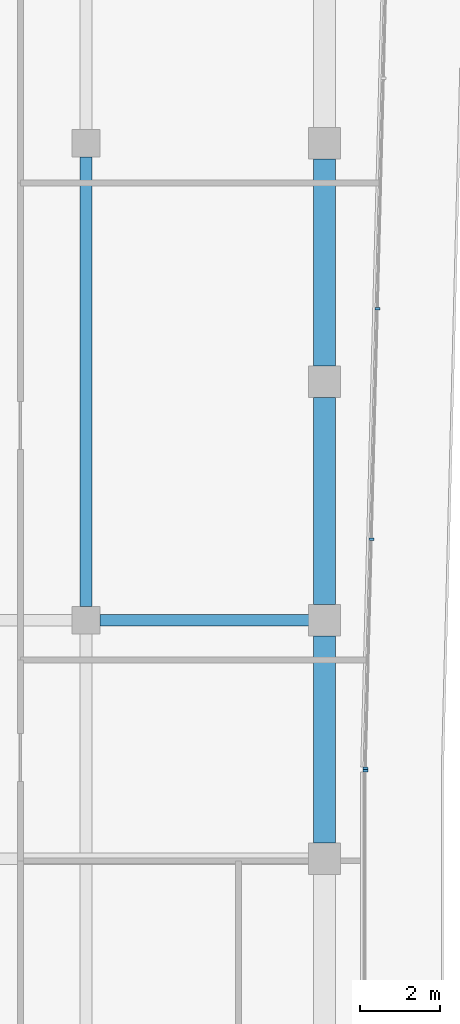
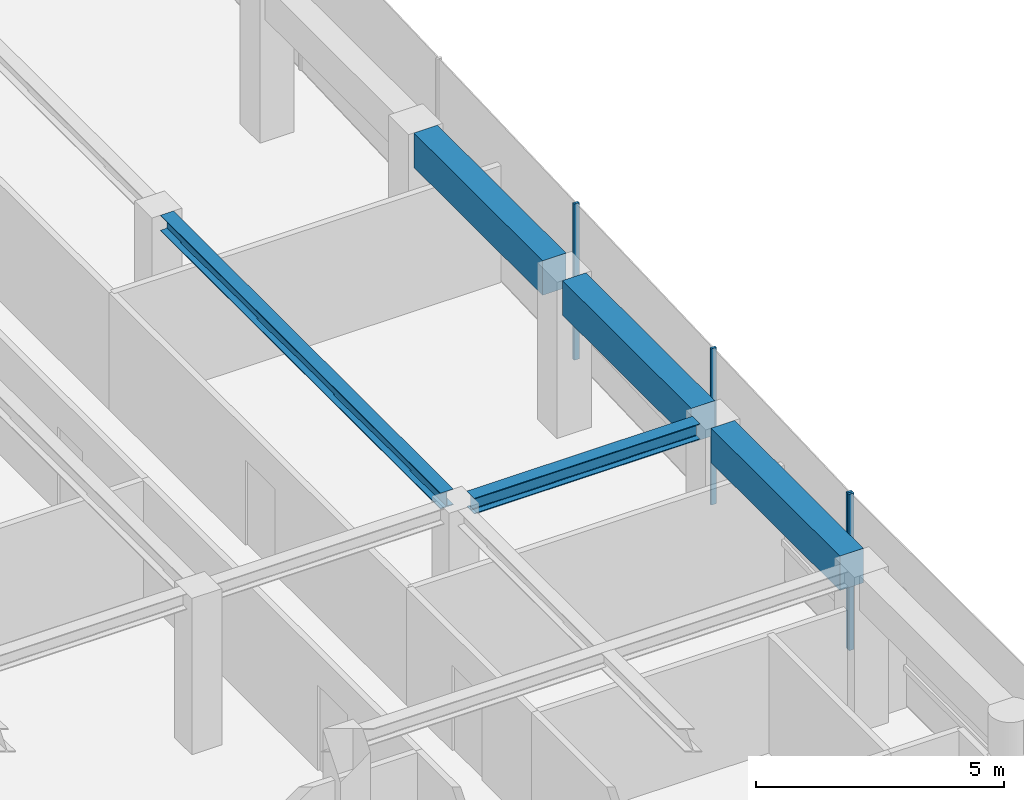
# One storey, part 8 of 19: 5 beams, 4 members, 2 elements without a shape of their own.
"""IFC4 building model written with IfcOpenShell, lengths in metres."""

import ifcopenshell
import ifcopenshell.guid

model = None  # the IFC model being written
_history = None  # IfcOwnerHistory: only IFC2X3 demands one
_inside = {}  # id of a spatial element -> (the spatial element, [elements in it])
_under = {}  # id of a project, library or spatial element -> (it, [spatial elements below it])
_declared = {}  # id of a project -> (the project, [libraries it declares])
_typed = {}  # id of a type object -> (the type object, [elements of that type])
_made_of = {}  # id of a material, layer set ... -> (it, [elements and type objects made of it])


def new_model(schema):
    """Start an empty IFC model of exactly this schema.

    Asked for "IFC4X3", IfcOpenShell would pick the latest addendum, in which some entities
    have other attributes; the version numbers below select the first issue.
    IFC2X3 requires an IfcOwnerHistory on every rooted entity: one is made here for all.
    """
    global model, _history
    if schema == "IFC4X3":
        model = ifcopenshell.file(schema_version=(4, 3, 0, 0))
    else:
        model = ifcopenshell.file(schema=schema)
    _inside.clear()
    _under.clear()
    _declared.clear()
    _typed.clear()
    _made_of.clear()
    _history = None
    if model.schema == "IFC2X3":
        org = make("IfcOrganization", Name="unknown")
        user = make(
            "IfcPersonAndOrganization",
            ThePerson=make("IfcPerson", FamilyName="unknown"),
            TheOrganization=org,
        )
        app = make(
            "IfcApplication",
            ApplicationDeveloper=org,
            Version="unknown",
            ApplicationFullName="unknown",
            ApplicationIdentifier="unknown",
        )
        _history = make(
            "IfcOwnerHistory",
            OwningUser=user,
            OwningApplication=app,
            ChangeAction="ADDED",
            CreationDate=0,
        )
    return model


def make(cls, **values):
    """One entity of the class cls with the attributes given. An attribute that is None is left unset."""
    return model.create_entity(
        cls, **{name: value for name, value in values.items() if value is not None}
    )


def rooted(cls, **values):
    """An entity with a GlobalId (a new one), such as an element, a storey or a relation."""
    return make(cls, GlobalId=ifcopenshell.guid.new(), OwnerHistory=_history, **values)


def si_unit(unit_type, name, prefix=None):
    """IfcSIUnit, for example si_unit("LENGTHUNIT", "METRE", prefix="MILLI")."""
    return make("IfcSIUnit", UnitType=unit_type, Prefix=prefix, Name=name)


def assignment(units):
    """IfcUnitAssignment: the units of a project."""
    return None if units is None else make("IfcUnitAssignment", Units=units)


def point(xyz):
    """IfcCartesianPoint."""
    return None if xyz is None else make("IfcCartesianPoint", Coordinates=xyz)


def direction(xyz):
    """IfcDirection."""
    return None if xyz is None else make("IfcDirection", DirectionRatios=xyz)


def frame(location, z_axis=None, x_axis=None):
    """IfcAxis2Placement3D, a coordinate frame: its origin and axes. An axis left out is left unset."""
    return make(
        "IfcAxis2Placement3D",
        Location=point(location),
        Axis=direction(z_axis),
        RefDirection=direction(x_axis),
    )


def frame_2d(location, x_axis=None):
    """IfcAxis2Placement2D, a coordinate frame in the plane: its origin and x axis."""
    return make(
        "IfcAxis2Placement2D", Location=point(location), RefDirection=direction(x_axis)
    )


def origin():
    """The frame at (0, 0, 0) with its axes left unset."""
    return frame((0.0, 0.0, 0.0))


def origin_2d():
    """The frame at (0, 0) in the plane with its x axis left unset."""
    return frame_2d((0.0, 0.0))


def place(relative_to, where):
    """IfcLocalPlacement: puts the frame where relative to a parent placement (None: the world)."""
    return make(
        "IfcLocalPlacement", PlacementRelTo=relative_to, RelativePlacement=where
    )


def context(
    kind, dimensions, precision=None, world=None, true_north=None, identifier=None
):
    """IfcGeometricRepresentationContext, for example the 3D "Model" context."""
    return make(
        "IfcGeometricRepresentationContext",
        ContextIdentifier=identifier,
        ContextType=kind,
        CoordinateSpaceDimension=dimensions,
        Precision=precision,
        WorldCoordinateSystem=world,
        TrueNorth=true_north,
    )


def subcontext(parent, identifier, kind, view, scale=None):
    """IfcGeometricRepresentationSubContext, for example "Body" below "Model"."""
    return make(
        "IfcGeometricRepresentationSubContext",
        ContextIdentifier=identifier,
        ContextType=kind,
        ParentContext=parent,
        TargetScale=scale,
        TargetView=view,
    )


def project(units=None, contexts=None):
    """IfcProject with its units and contexts."""
    return rooted(
        "IfcProject",
        Name="project",
        RepresentationContexts=contexts,
        UnitsInContext=assignment(units),
    )


def spatial(cls, under=None, at=None, **own):
    """A site, building, storey or space (cls), placed at a placement, below another one or the project."""
    s = rooted(cls, ObjectPlacement=at, **own)
    if under is not None:
        _under.setdefault(under.id(), (under, []))[1].append(s)
    return s


def profile(cls, at=None, kind="AREA", **sizes):
    """A parametric profile (cls). Its sizes go by their IFC names, for example OverallWidth=200.0."""
    return make(cls, ProfileType=kind, Position=at, **sizes)


def rectangle(**sizes):
    """IfcRectangleProfileDef."""
    return profile("IfcRectangleProfileDef", **sizes)


def i_section(**sizes):
    """IfcIShapeProfileDef."""
    return profile("IfcIShapeProfileDef", **sizes)


def extrude(swept, where, along, depth):
    """IfcExtrudedAreaSolid: the profile swept, set in the frame where, extruded along a direction by depth."""
    return make(
        "IfcExtrudedAreaSolid",
        SweptArea=swept,
        Position=where,
        ExtrudedDirection=direction(along),
        Depth=depth,
    )


def shape(context_of_items, identifier, shape_type, items):
    """IfcShapeRepresentation: the items that make up one representation, for example the "Body"."""
    return make(
        "IfcShapeRepresentation",
        ContextOfItems=context_of_items,
        RepresentationIdentifier=identifier,
        RepresentationType=shape_type,
        Items=items,
    )


def material(Name=None, Category=None):
    """IfcMaterial."""
    return make("IfcMaterial", Name=Name, Category=Category)


def layer(
    of_material, thickness, ventilated=None, Name=None, Category=None, Priority=None
):
    """IfcMaterialLayer: one layer of a wall or slab, of a material (None: an air gap)."""
    return make(
        "IfcMaterialLayer",
        Material=of_material,
        LayerThickness=thickness,
        IsVentilated=ventilated,
        Name=Name,
        Category=Category,
        Priority=Priority,
    )


def layer_set(layers, Name=None):
    """IfcMaterialLayerSet."""
    return make("IfcMaterialLayerSet", MaterialLayers=layers, LayerSetName=Name)


def material_profile(
    of_material, cross_section, Name=None, Category=None, Priority=None
):
    """IfcMaterialProfile: a cross section and its material."""
    return make(
        "IfcMaterialProfile",
        Name=Name,
        Material=of_material,
        Profile=cross_section,
        Priority=Priority,
        Category=Category,
    )


def profile_set(profiles, Name=None, composite=None):
    """IfcMaterialProfileSet."""
    return make(
        "IfcMaterialProfileSet",
        Name=Name,
        MaterialProfiles=profiles,
        CompositeProfile=composite,
    )


def made_of(thing, what):
    """Note that an element or type object is made of a material, layer set ...; save() writes the relation."""
    if what is not None:
        _made_of.setdefault(what.id(), (what, []))[1].append(thing)
    return thing


def type_object(cls, material=None, **own):
    """A type object (cls), such as IfcWallType, which elements share."""
    return made_of(rooted(cls, **own), material)


def element(
    cls,
    number,
    at=None,
    inside=None,
    cuts=None,
    type_object=None,
    material=None,
    context=None,
    identifier="Body",
    shape_type=None,
    held_by="IfcProductDefinitionShape",
    body=None,
    shapes=None,
    **own,
):
    """One element of the class cls, such as IfcWall. Its Tag is "e" and its number.

    at: its placement. inside: the storey or other place that contains it. cuts: it is an
    opening in that element (IfcRelVoidsElement). A single representation is given by context,
    identifier, shape_type and body (its items); several are given by shapes. held_by: the class
    of the entity that holds the representations. save() writes the other relations.
    """
    e = rooted(cls, Tag="e%d" % number, ObjectPlacement=at, **own)
    if body is not None:
        shapes = [shape(context, identifier, shape_type, body)]
    if shapes is not None:
        e.Representation = make(held_by, Representations=shapes)
    if inside is not None:
        _inside.setdefault(inside.id(), (inside, []))[1].append(e)
    if cuts is not None:
        rooted(
            "IfcRelVoidsElement", RelatingBuildingElement=cuts, RelatedOpeningElement=e
        )
    if type_object is not None:
        _typed.setdefault(type_object.id(), (type_object, []))[1].append(e)
    return made_of(e, material)


def aggregate(whole, parts):
    """IfcRelAggregates: a whole, such as a stair, and the parts it consists of."""
    return rooted("IfcRelAggregates", RelatingObject=whole, RelatedObjects=parts)


def save(model, path):
    """Write the relations noted so far, then the file.

    IfcRelAggregates (storeys below a building ...), IfcRelContainedInSpatialStructure (elements
    in a storey), IfcRelDefinesByType, IfcRelAssociatesMaterial and IfcRelDeclares: one each for
    every whole, place, type object, material and project.
    """
    for whole, parts in _under.values():
        aggregate(whole, parts)
    for where, things in _inside.values():
        rooted(
            "IfcRelContainedInSpatialStructure",
            RelatedElements=things,
            RelatingStructure=where,
        )
    for kind, things in _typed.values():
        rooted("IfcRelDefinesByType", RelatedObjects=things, RelatingType=kind)
    for what, things in _made_of.values():
        rooted("IfcRelAssociatesMaterial", RelatedObjects=things, RelatingMaterial=what)
    for by, libraries in _declared.values():
        rooted("IfcRelDeclares", RelatingContext=by, RelatedDefinitions=libraries)
    model.write(path)


model = new_model("IFC4")

# Units and contexts
model_context = context("Model", 3, precision=1e-05, world=origin(), true_north=direction((0.0, 1.0)))
body_context = subcontext(model_context, "Body", "Model", "MODEL_VIEW")
ifc_project = project(units=[si_unit("LENGTHUNIT", "METRE"), si_unit("AREAUNIT", "SQUARE_METRE"), si_unit("VOLUMEUNIT", "CUBIC_METRE"), si_unit("PLANEANGLEUNIT", "RADIAN"), si_unit("MASSUNIT", "GRAM", prefix="KILO")], contexts=[model_context])

# Site, building, storey
site_placement = place(None, origin())
site = spatial("IfcSite", under=ifc_project, at=site_placement, CompositionType="ELEMENT")
building_placement = place(site_placement, origin())
building = spatial("IfcBuilding", under=site, at=building_placement, Name="Welwitschia Terrace Campus", CompositionType="ELEMENT")
storey_placement = place(building_placement, frame((0.0, 0.0, 234.800048828125)))
storey = spatial("IfcBuildingStorey", under=building, at=storey_placement, Name="L52", CompositionType="ELEMENT", Elevation=234.800048828125)

# Beams
ifc_material_1 = material(Name="Steel S355", Category="steel")
ifc_material_profile_1 = material_profile(ifc_material_1, i_section(OverallWidth=0.300048828125, OverallDepth=0.389892578125, WebThickness=0.010986328125, FlangeThickness=0.01904296875, FilletRadius=0.027099609375, at=origin_2d()))
ifc_profile_set_1 = profile_set([ifc_material_profile_1], Name="Steel S355")
beam_type_1 = type_object("IfcBeamType", Name="Interior girder HE 400 A", PredefinedType="BEAM", material=ifc_profile_set_1)
beam_1_placement = place(storey_placement, frame((18.3505859375, 40.0, 3.655029296875), z_axis=(1.0, 0.0, 0.0), x_axis=(0.0, 1.0, 0.0)))
element("IfcBeam", 1, at=beam_1_placement, inside=storey, type_object=beam_type_1, Name="Girder GB5", PredefinedType="BEAM", context=body_context, shape_type="SweptSolid", body=[
    extrude(i_section(OverallWidth=0.300048828125, OverallDepth=0.389892578125, WebThickness=0.010986328125, FlangeThickness=0.01904296875, FilletRadius=0.027099609375, at=origin_2d()), origin(), (0.0, 0.0, 1.0), 5.259033203125),
])
beam_2_placement = place(storey_placement, frame((18.0, 40.3505859375, 3.655029296875), z_axis=(0.0, 1.0, 0.0), x_axis=(-1.0, 0.0, 0.0)))
element("IfcBeam", 2, at=beam_2_placement, inside=storey, type_object=beam_type_1, Name="Girder GB5", PredefinedType="BEAM", context=body_context, shape_type="SweptSolid", body=[
    extrude(i_section(OverallWidth=0.300048828125, OverallDepth=0.389892578125, WebThickness=0.010986328125, FlangeThickness=0.01904296875, FilletRadius=0.027099609375, at=origin_2d()), origin(), (0.0, 0.0, 1.0), 11.298828125),
])

# Curtain wall, member
ifc_material_2 = material(Name="Bronze anodised aluminium", Category="aluminium")
ifc_layer = layer(ifc_material_2, 0.1201171875)
ifc_layer_set = layer_set([ifc_layer], Name="Bronze anodised aluminium")
curtain_wall_type = type_object("IfcCurtainWallType", Name="Curtain wall CW2 tower 6000", PredefinedType="NOTDEFINED", material=ifc_layer_set)
curtain_wall_1_placement = place(storey_placement, origin())
curtain_wall_1 = element("IfcCurtainWall", 3, at=curtain_wall_1_placement, inside=storey, type_object=curtain_wall_type, Name="CW L52.8.0", PredefinedType="NOTDEFINED")
ifc_material_3 = material(Name="Bronze anodised aluminium", Category="aluminium")
ifc_material_profile_2 = material_profile(ifc_material_3, rectangle(XDim=0.1201171875, YDim=0.06005859375, at=origin_2d()))
ifc_profile_set_2 = profile_set([ifc_material_profile_2], Name="Bronze anodised aluminium")
member_type = type_object("IfcMemberType", Name="Mullion 60x120", PredefinedType="MULLION", material=ifc_profile_set_2)
member_1_placement = place(storey_placement, frame((25.030029296875, 36.21337890625, 0.0), z_axis=(0.0, 0.0, 1.0), x_axis=(-1.0, 0.0, 0.0)))
member_1 = element("IfcMember", 4, at=member_1_placement, type_object=member_type, Name="Mullion L52.8.0.1", PredefinedType="MULLION", context=body_context, shape_type="SweptSolid", body=[
    extrude(rectangle(XDim=0.1201171875, YDim=0.06005859375, at=origin_2d()), origin(), (0.0, 0.0, 1.0), 3.849853515625),
])
aggregate(curtain_wall_1, [member_1])

# Curtain wall, members
curtain_wall_2_placement = place(storey_placement, origin())
curtain_wall_2 = element("IfcCurtainWall", 5, at=curtain_wall_2_placement, inside=storey, type_object=curtain_wall_type, Name="CW L52.9.0", PredefinedType="NOTDEFINED")
member_2_placement = place(storey_placement, frame((25.03076171875, 36.2734375, 0.0), z_axis=(0.0, 0.0, 1.0), x_axis=(-0.999657324976, 0.026176948308, 0.0)))
member_2 = element("IfcMember", 6, at=member_2_placement, type_object=member_type, Name="Mullion L52.9.0.0", PredefinedType="MULLION", context=body_context, shape_type="SweptSolid", body=[
    extrude(rectangle(XDim=0.1201171875, YDim=0.06005859375, at=origin_2d()), origin(), (0.0, 0.0, 1.0), 3.849853515625),
])
member_3_placement = place(storey_placement, frame((25.181884765625, 42.041015625, 0.0), z_axis=(0.0, 0.0, 1.0), x_axis=(-0.999657324976, 0.026176948308, 0.0)))
member_3 = element("IfcMember", 7, at=member_3_placement, type_object=member_type, Name="Mullion L52.9.0.1", PredefinedType="MULLION", context=body_context, shape_type="SweptSolid", body=[
    extrude(rectangle(XDim=0.1201171875, YDim=0.06005859375, at=origin_2d()), origin(), (0.0, 0.0, 1.0), 3.849853515625),
])
member_4_placement = place(storey_placement, frame((25.333740234375, 47.8388671875, 0.0), z_axis=(0.0, 0.0, 1.0), x_axis=(-0.999657324976, 0.026176948308, 0.0)))
member_4 = element("IfcMember", 8, at=member_4_placement, type_object=member_type, Name="Mullion L52.9.0.2", PredefinedType="MULLION", context=body_context, shape_type="SweptSolid", body=[
    extrude(rectangle(XDim=0.1201171875, YDim=0.06005859375, at=origin_2d()), origin(), (0.0, 0.0, 1.0), 3.849853515625),
])
aggregate(curtain_wall_2, [member_2, member_3, member_4])

# Beams
ifc_material_4 = material(Name="Concrete C50/60", Category="concrete")
ifc_material_profile_3 = material_profile(ifc_material_4, rectangle(XDim=0.550048828125, YDim=0.85009765625, at=origin_2d()))
ifc_profile_set_3 = profile_set([ifc_material_profile_3], Name="Concrete C50/60")
beam_type_2 = type_object("IfcBeamType", Name="Ring spandrel 550x850", PredefinedType="SPANDREL", material=ifc_profile_set_3)
for number, where, z_axis, x_axis, name in (
    (9, (24.0, 34.400390625, 3.425048828125), (0.0, 1.0, 0.0), (-1.0, 0.0, 0.0), "Spandrel SP3"),
    (10, (24.0, 40.400390625, 3.425048828125), (0.0, 1.0, 0.0), (-1.0, 0.0, 0.0), "Spandrel SP3"),
    (11, (24.0, 46.400390625, 3.425048828125), (0.0, 1.0, 0.0), (-1.0, 0.0, 0.0), "Spandrel SP3"),
):
    element("IfcBeam", number, at=place(storey_placement, frame(where, z_axis=z_axis, x_axis=x_axis)), inside=storey, type_object=beam_type_2, Name=name, PredefinedType="SPANDREL", context=body_context, shape_type="SweptSolid", body=[
        extrude(rectangle(XDim=0.550048828125, YDim=0.85009765625, at=origin_2d()), origin(), (0.0, 0.0, 1.0), 5.19921875),
    ])

save(model, "model.ifc")
